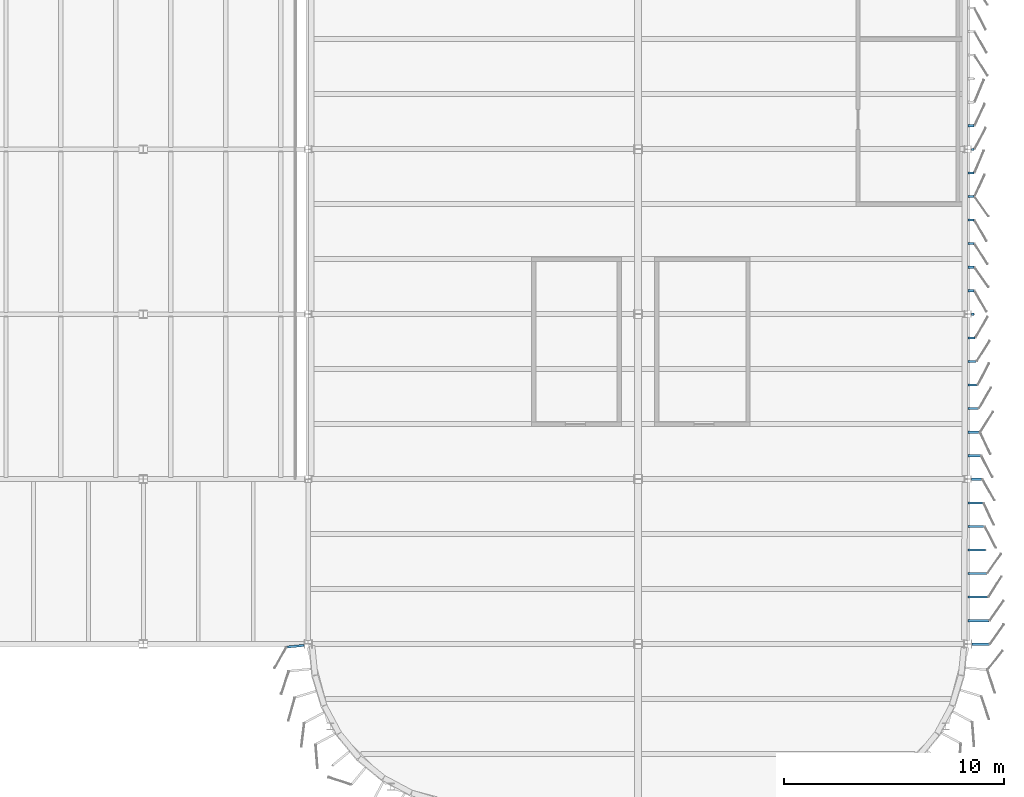
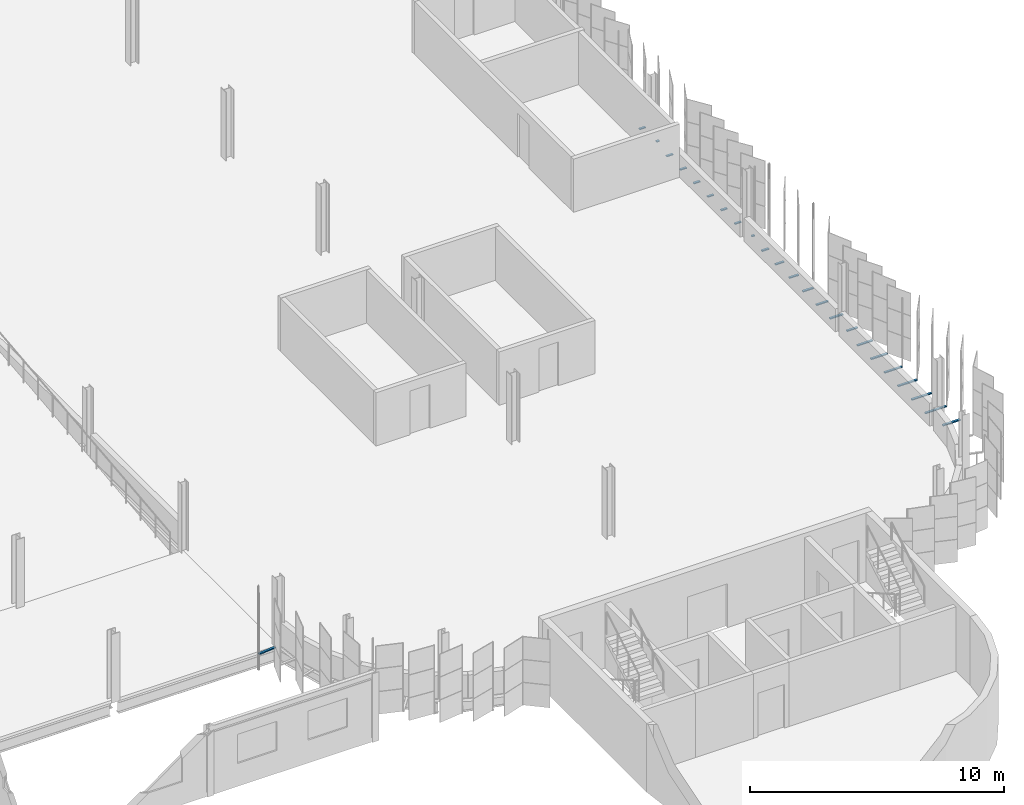
# One storey, part 182 of 214: 24 discrete accessories.
"""IFC4 building model written with IfcOpenShell, lengths in metres."""

from ifc_helpers import new_model, si_unit, direction, frame, origin, origin_2d, place, context, subcontext, project, spatial, rectangle, extrude, material, type_object, element, save


model = new_model("IFC4")

# Units and contexts
model_context = context("Model", 3, precision=1e-05, world=origin(), true_north=direction((0.0, 1.0)))
body_context = subcontext(model_context, "Body", "Model", "MODEL_VIEW")
ifc_project = project(units=[si_unit("LENGTHUNIT", "METRE"), si_unit("AREAUNIT", "SQUARE_METRE"), si_unit("VOLUMEUNIT", "CUBIC_METRE"), si_unit("PLANEANGLEUNIT", "RADIAN"), si_unit("MASSUNIT", "GRAM", prefix="KILO")], contexts=[model_context])

# Site, building, storey
site_placement = place(None, origin())
site = spatial("IfcSite", under=ifc_project, at=site_placement, CompositionType="ELEMENT")
building_placement = place(site_placement, origin())
building = spatial("IfcBuilding", under=site, at=building_placement, Name="Parallax Yard Mobility Hub", CompositionType="ELEMENT")
storey_placement = place(building_placement, frame((0.0, 0.0, 3.300048828125)))
storey = spatial("IfcBuildingStorey", under=building, at=storey_placement, Name="L01", CompositionType="ELEMENT", Elevation=3.300048828125)

# Discrete accessories
ifc_material = material(Name="Steel ASTM A36, hot-dip galvanised", Category="steel")
discrete_accessory_type = type_object("IfcDiscreteAccessoryType", Name="Hinge bracket plate 100x50", PredefinedType="BRACKET", material=ifc_material)
discrete_accessory_1_placement = place(storey_placement, frame((194.418212890625, 29.896728515625, -0.02490234375), z_axis=(0.0, 0.0, 1.0), x_axis=(-0.995184726672, -0.09801714033, 0.0)))
element("IfcDiscreteAccessory", 1, at=discrete_accessory_1_placement, inside=storey, type_object=discrete_accessory_type, Name="Hinge bracket plate bay 30.1 level L01", PredefinedType="BRACKET", context=body_context, shape_type="SweptSolid", body=[
    extrude(rectangle(XDim=0.7890625, YDim=0.10009765625, at=origin_2d()), origin(), (0.0, 0.0, 1.0), 0.050048828125),
])
discrete_accessory_2_placement = place(storey_placement, frame((225.58056640625, 29.985595703125, -0.02490234375), z_axis=(0.0, 0.0, 1.0), x_axis=(1.0, 0.0, 0.0)))
element("IfcDiscreteAccessory", 2, at=discrete_accessory_2_placement, inside=storey, type_object=discrete_accessory_type, Name="Hinge bracket plate bay 33.1 level L01", PredefinedType="BRACKET", context=body_context, shape_type="SweptSolid", body=[
    extrude(rectangle(XDim=0.80615234375, YDim=0.10009765625, at=origin_2d()), origin(), (0.0, 0.0, 1.0), 0.050048828125),
])
discrete_accessory_3_placement = place(storey_placement, frame((225.4833984375, 31.057373046875, -0.02490234375), z_axis=(0.0, 0.0, 1.0), x_axis=(1.0, 0.0, 0.0)))
element("IfcDiscreteAccessory", 3, at=discrete_accessory_3_placement, inside=storey, type_object=discrete_accessory_type, Name="Hinge bracket plate bay 33.2 level L01", PredefinedType="BRACKET", context=body_context, shape_type="SweptSolid", body=[
    extrude(rectangle(XDim=0.968017578125, YDim=0.10009765625, at=origin_2d()), origin(), (0.0, 0.0, 1.0), 0.050048828125),
])
discrete_accessory_4_placement = place(storey_placement, frame((225.456787109375, 32.12890625, -0.02490234375), z_axis=(0.0, 0.0, 1.0), x_axis=(1.0, 0.0, 0.0)))
element("IfcDiscreteAccessory", 4, at=discrete_accessory_4_placement, inside=storey, type_object=discrete_accessory_type, Name="Hinge bracket plate bay 33.3 level L01", PredefinedType="BRACKET", context=body_context, shape_type="SweptSolid", body=[
    extrude(rectangle(XDim=0.91455078125, YDim=0.10009765625, at=origin_2d()), origin(), (0.0, 0.0, 1.0), 0.050048828125),
])
discrete_accessory_5_placement = place(storey_placement, frame((225.429931640625, 33.20068359375, -0.02490234375), z_axis=(0.0, 0.0, 1.0), x_axis=(1.0, 0.0, 0.0)))
element("IfcDiscreteAccessory", 5, at=discrete_accessory_5_placement, inside=storey, type_object=discrete_accessory_type, Name="Hinge bracket plate bay 33.4 level L01", PredefinedType="BRACKET", context=body_context, shape_type="SweptSolid", body=[
    extrude(rectangle(XDim=0.86083984375, YDim=0.10009765625, at=origin_2d()), origin(), (0.0, 0.0, 1.0), 0.050048828125),
])
discrete_accessory_6_placement = place(storey_placement, frame((225.4033203125, 34.2724609375, -0.02490234375), z_axis=(0.0, 0.0, 1.0), x_axis=(1.0, 0.0, 0.0)))
element("IfcDiscreteAccessory", 6, at=discrete_accessory_6_placement, inside=storey, type_object=discrete_accessory_type, Name="Hinge bracket plate bay 33.5 level L01", PredefinedType="BRACKET", context=body_context, shape_type="SweptSolid", body=[
    extrude(rectangle(XDim=0.807373046875, YDim=0.10009765625, at=origin_2d()), origin(), (0.0, 0.0, 1.0), 0.050048828125),
])
discrete_accessory_7_placement = place(storey_placement, frame((225.37646484375, 35.34423828125, -0.02490234375), z_axis=(0.0, 0.0, 1.0), x_axis=(1.0, 0.0, 0.0)))
element("IfcDiscreteAccessory", 7, at=discrete_accessory_7_placement, inside=storey, type_object=discrete_accessory_type, Name="Hinge bracket plate bay 33.6 level L01", PredefinedType="BRACKET", context=body_context, shape_type="SweptSolid", body=[
    extrude(rectangle(XDim=0.75390625, YDim=0.10009765625, at=origin_2d()), origin(), (0.0, 0.0, 1.0), 0.050048828125),
])
discrete_accessory_8_placement = place(storey_placement, frame((225.349609375, 36.416015625, -0.02490234375), z_axis=(0.0, 0.0, 1.0), x_axis=(1.0, 0.0, 0.0)))
element("IfcDiscreteAccessory", 8, at=discrete_accessory_8_placement, inside=storey, type_object=discrete_accessory_type, Name="Hinge bracket plate bay 33.7 level L01", PredefinedType="BRACKET", context=body_context, shape_type="SweptSolid", body=[
    extrude(rectangle(XDim=0.7001953125, YDim=0.10009765625, at=origin_2d()), origin(), (0.0, 0.0, 1.0), 0.050048828125),
])
discrete_accessory_9_placement = place(storey_placement, frame((225.40087890625, 37.487548828125, -0.02490234375), z_axis=(0.0, 0.0, 1.0), x_axis=(1.0, 0.0, 0.0)))
element("IfcDiscreteAccessory", 9, at=discrete_accessory_9_placement, inside=storey, type_object=discrete_accessory_type, Name="Hinge bracket plate bay 34.1 level L01", PredefinedType="BRACKET", context=body_context, shape_type="SweptSolid", body=[
    extrude(rectangle(XDim=0.490478515625, YDim=0.10009765625, at=origin_2d()), origin(), (0.0, 0.0, 1.0), 0.050048828125),
])
discrete_accessory_10_placement = place(storey_placement, frame((225.2958984375, 38.559326171875, -0.02490234375), z_axis=(0.0, 0.0, 1.0), x_axis=(1.0, 0.0, 0.0)))
element("IfcDiscreteAccessory", 10, at=discrete_accessory_10_placement, inside=storey, type_object=discrete_accessory_type, Name="Hinge bracket plate bay 34.2 level L01", PredefinedType="BRACKET", context=body_context, shape_type="SweptSolid", body=[
    extrude(rectangle(XDim=0.593017578125, YDim=0.10009765625, at=origin_2d()), origin(), (0.0, 0.0, 1.0), 0.050048828125),
])
discrete_accessory_11_placement = place(storey_placement, frame((225.269287109375, 39.631103515625, -0.02490234375), z_axis=(0.0, 0.0, 1.0), x_axis=(1.0, 0.0, 0.0)))
element("IfcDiscreteAccessory", 11, at=discrete_accessory_11_placement, inside=storey, type_object=discrete_accessory_type, Name="Hinge bracket plate bay 34.3 level L01", PredefinedType="BRACKET", context=body_context, shape_type="SweptSolid", body=[
    extrude(rectangle(XDim=0.53955078125, YDim=0.10009765625, at=origin_2d()), origin(), (0.0, 0.0, 1.0), 0.050048828125),
])
discrete_accessory_12_placement = place(storey_placement, frame((225.242431640625, 40.702880859375, -0.02490234375), z_axis=(0.0, 0.0, 1.0), x_axis=(1.0, 0.0, 0.0)))
element("IfcDiscreteAccessory", 12, at=discrete_accessory_12_placement, inside=storey, type_object=discrete_accessory_type, Name="Hinge bracket plate bay 34.4 level L01", PredefinedType="BRACKET", context=body_context, shape_type="SweptSolid", body=[
    extrude(rectangle(XDim=0.48583984375, YDim=0.10009765625, at=origin_2d()), origin(), (0.0, 0.0, 1.0), 0.050048828125),
])
discrete_accessory_13_placement = place(storey_placement, frame((225.2158203125, 41.774658203125, -0.02490234375), z_axis=(0.0, 0.0, 1.0), x_axis=(1.0, 0.0, 0.0)))
element("IfcDiscreteAccessory", 13, at=discrete_accessory_13_placement, inside=storey, type_object=discrete_accessory_type, Name="Hinge bracket plate bay 34.5 level L01", PredefinedType="BRACKET", context=body_context, shape_type="SweptSolid", body=[
    extrude(rectangle(XDim=0.432373046875, YDim=0.10009765625, at=origin_2d()), origin(), (0.0, 0.0, 1.0), 0.050048828125),
])
discrete_accessory_14_placement = place(storey_placement, frame((225.18896484375, 42.84619140625, -0.02490234375), z_axis=(0.0, 0.0, 1.0), x_axis=(1.0, 0.0, 0.0)))
element("IfcDiscreteAccessory", 14, at=discrete_accessory_14_placement, inside=storey, type_object=discrete_accessory_type, Name="Hinge bracket plate bay 34.6 level L01", PredefinedType="BRACKET", context=body_context, shape_type="SweptSolid", body=[
    extrude(rectangle(XDim=0.37890625, YDim=0.10009765625, at=origin_2d()), origin(), (0.0, 0.0, 1.0), 0.050048828125),
])
discrete_accessory_15_placement = place(storey_placement, frame((225.162109375, 43.91796875, -0.02490234375), z_axis=(0.0, 0.0, 1.0), x_axis=(1.0, 0.0, 0.0)))
element("IfcDiscreteAccessory", 15, at=discrete_accessory_15_placement, inside=storey, type_object=discrete_accessory_type, Name="Hinge bracket plate bay 34.7 level L01", PredefinedType="BRACKET", context=body_context, shape_type="SweptSolid", body=[
    extrude(rectangle(XDim=0.3251953125, YDim=0.10009765625, at=origin_2d()), origin(), (0.0, 0.0, 1.0), 0.050048828125),
])
discrete_accessory_16_placement = place(storey_placement, frame((225.219482421875, 44.98974609375, -0.02490234375), z_axis=(0.0, 0.0, 1.0), x_axis=(1.0, 0.0, 0.0)))
element("IfcDiscreteAccessory", 16, at=discrete_accessory_16_placement, inside=storey, type_object=discrete_accessory_type, Name="Hinge bracket plate bay 35.1 level L01", PredefinedType="BRACKET", context=body_context, shape_type="SweptSolid", body=[
    extrude(rectangle(XDim=0.128173828125, YDim=0.10009765625, at=origin_2d()), origin(), (0.0, 0.0, 1.0), 0.050048828125),
])
for number, where, z_axis, x_axis, name in (
    (17, (225.1416015625, 46.0615234375, -0.02490234375), (0.0, 0.0, 1.0), (1.0, 0.0, 0.0), "Hinge bracket plate bay 35.2 level L01"),
    (18, (225.1416015625, 47.13330078125, -0.02490234375), (0.0, 0.0, 1.0), (1.0, 0.0, 0.0), "Hinge bracket plate bay 35.3 level L01"),
    (19, (225.1416015625, 48.204833984375, -0.02490234375), (0.0, 0.0, 1.0), (1.0, 0.0, 0.0), "Hinge bracket plate bay 35.4 level L01"),
    (20, (225.1416015625, 49.276611328125, -0.02490234375), (0.0, 0.0, 1.0), (1.0, 0.0, 0.0), "Hinge bracket plate bay 35.5 level L01"),
    (21, (225.1416015625, 50.348388671875, -0.02490234375), (0.0, 0.0, 1.0), (1.0, 0.0, 0.0), "Hinge bracket plate bay 35.6 level L01"),
    (22, (225.1416015625, 51.420166015625, -0.02490234375), (0.0, 0.0, 1.0), (1.0, 0.0, 0.0), "Hinge bracket plate bay 35.7 level L01"),
):
    element("IfcDiscreteAccessory", number, at=place(storey_placement, frame(where, z_axis=z_axis, x_axis=x_axis)), inside=storey, type_object=discrete_accessory_type, Name=name, PredefinedType="BRACKET", context=body_context, shape_type="SweptSolid", body=[
        extrude(rectangle(XDim=0.2841796875, YDim=0.10009765625, at=origin_2d()), origin(), (0.0, 0.0, 1.0), 0.050048828125),
    ])
discrete_accessory_17_placement = place(storey_placement, frame((225.219482421875, 52.491943359375, -0.02490234375), z_axis=(0.0, 0.0, 1.0), x_axis=(1.0, 0.0, 0.0)))
element("IfcDiscreteAccessory", 23, at=discrete_accessory_17_placement, inside=storey, type_object=discrete_accessory_type, Name="Hinge bracket plate bay 36.1 level L01", PredefinedType="BRACKET", context=body_context, shape_type="SweptSolid", body=[
    extrude(rectangle(XDim=0.128173828125, YDim=0.10009765625, at=origin_2d()), origin(), (0.0, 0.0, 1.0), 0.050048828125),
])
discrete_accessory_18_placement = place(storey_placement, frame((225.1416015625, 53.563720703125, -0.02490234375), z_axis=(0.0, 0.0, 1.0), x_axis=(1.0, 0.0, 0.0)))
element("IfcDiscreteAccessory", 24, at=discrete_accessory_18_placement, inside=storey, type_object=discrete_accessory_type, Name="Hinge bracket plate bay 36.2 level L01", PredefinedType="BRACKET", context=body_context, shape_type="SweptSolid", body=[
    extrude(rectangle(XDim=0.2841796875, YDim=0.10009765625, at=origin_2d()), origin(), (0.0, 0.0, 1.0), 0.050048828125),
])

save(model, "model.ifc")
